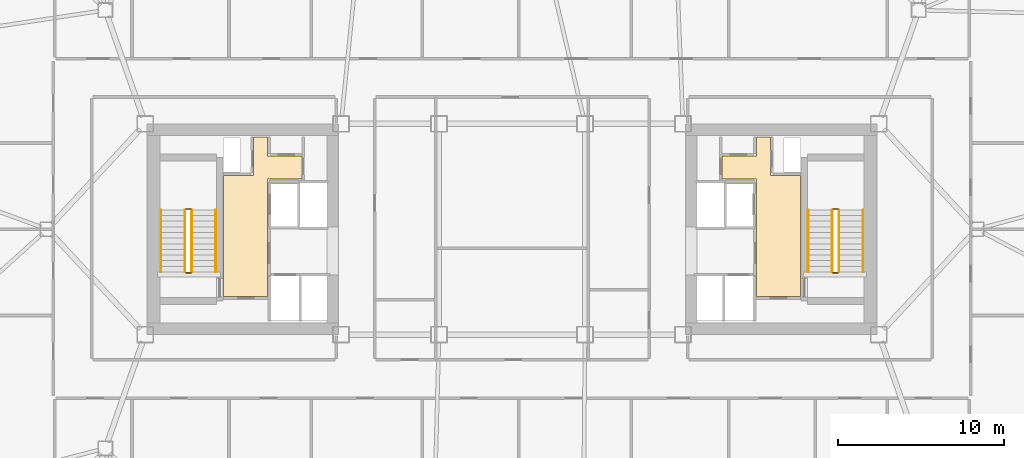
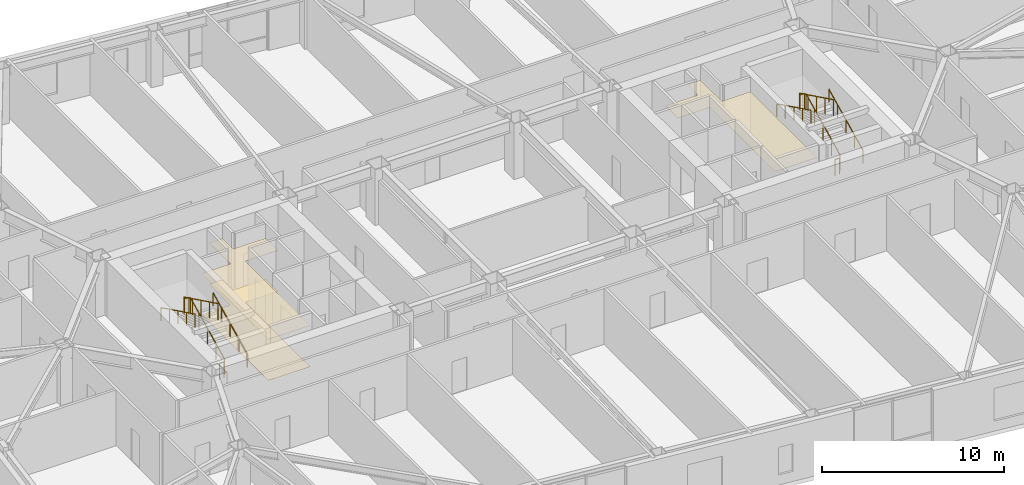
# One storey, part 21 of 21: 12 railings, 3 coverings.
"""IFC4 building model written with IfcOpenShell, lengths in metres."""

from ifc_helpers import new_model, si_unit, direction, frame, origin, origin_2d, place, context, subcontext, project, spatial, polyline, rectangle, outline, extrude, material, layer, layer_set, type_object, element, save


model = new_model("IFC4")

# Units and contexts
model_context = context("Model", 3, precision=1e-05, world=origin(), true_north=direction((0.0, 1.0)))
body_context = subcontext(model_context, "Body", "Model", "MODEL_VIEW")
ifc_project = project(units=[si_unit("LENGTHUNIT", "METRE"), si_unit("AREAUNIT", "SQUARE_METRE"), si_unit("VOLUMEUNIT", "CUBIC_METRE"), si_unit("PLANEANGLEUNIT", "RADIAN"), si_unit("MASSUNIT", "GRAM", prefix="KILO")], contexts=[model_context])

# Site, building, storey
site_placement = place(None, origin())
site = spatial("IfcSite", under=ifc_project, at=site_placement, CompositionType="ELEMENT")
building_placement = place(site_placement, origin())
building = spatial("IfcBuilding", under=site, at=building_placement, Name="Tavrogorsk Clinical Tower", CompositionType="ELEMENT")
storey_placement = place(building_placement, frame((0.0, 0.0, 133.39990234375)))
storey = spatial("IfcBuildingStorey", under=building, at=storey_placement, Name="L30", CompositionType="ELEMENT", Elevation=133.39990234375)

# Coverings
ifc_material_1 = material(Name="Antibacterial micro-perforated aluminium ceiling", Category="aluminium")
ifc_layer_1 = layer(ifc_material_1, 0.014892578125)
ifc_layer_set_1 = layer_set([ifc_layer_1], Name="Antibacterial micro-perforated aluminium ceiling")
covering_type_1 = type_object("IfcCoveringType", Name="ClinicalCeiling_15", PredefinedType="CEILING", material=ifc_layer_set_1)
covering_1_placement = place(storey_placement, frame((0.0, 0.0, 2.75)))
element("IfcCovering", 1, at=covering_1_placement, inside=storey, type_object=covering_type_1, Name="Core West Firefighting Lift Lobby Acoustic Ceiling", PredefinedType="CEILING", context=body_context, shape_type="SweptSolid", body=[
    extrude(outline(polyline([(-17.3798828125, -4.06005859375), (-17.3798828125, 3.239990234375), (-15.56005859375, 3.239990234375), (-15.56005859375, 5.56005859375), (-14.719970703125, 5.56005859375), (-14.719970703125, 4.39990234375), (-12.659912109375, 4.39990234375), (-12.659912109375, 3.0400390625), (-14.719970703125, 3.0400390625), (-14.719970703125, -4.06005859375), (-17.3798828125, -4.06005859375)])), origin(), (0.0, 0.0, 1.0), 0.01513671875),
])
covering_2_placement = place(storey_placement, frame((0.0, 0.0, 2.75)))
element("IfcCovering", 2, at=covering_2_placement, inside=storey, type_object=covering_type_1, Name="Core East Firefighting Lift Lobby Acoustic Ceiling", PredefinedType="CEILING", context=body_context, shape_type="SweptSolid", body=[
    extrude(outline(polyline([(14.719970703125, 3.0400390625), (12.659912109375, 3.0400390625), (12.659912109375, 4.39990234375), (14.719970703125, 4.39990234375), (14.719970703125, 5.56005859375), (15.56005859375, 5.56005859375), (15.56005859375, 3.239990234375), (17.3798828125, 3.239990234375), (17.3798828125, -4.06005859375), (14.719970703125, -4.06005859375), (14.719970703125, 3.0400390625)])), origin(), (0.0, 0.0, 1.0), 0.01513671875),
])
ifc_material_2 = material(Name="Homogeneous medical conductive PVC flooring")
ifc_layer_2 = layer(ifc_material_2, 0.008056640625)
ifc_layer_set_2 = layer_set([ifc_layer_2], Name="Homogeneous medical conductive PVC flooring")
covering_type_2 = type_object("IfcCoveringType", Name="ResilientVinylFloor_8", PredefinedType="FLOORING", material=ifc_layer_set_2)
covering_3_placement = place(storey_placement, origin())
element("IfcCovering", 3, at=covering_3_placement, inside=storey, type_object=covering_type_2, Name="Core West Firefighting Lift Lobby Conductive Vinyl Flooring", PredefinedType="FLOORING", context=body_context, shape_type="SweptSolid", body=[
    extrude(outline(polyline([(-17.3798828125, -4.06005859375), (-17.3798828125, 3.239990234375), (-15.56005859375, 3.239990234375), (-15.56005859375, 5.56005859375), (-14.719970703125, 5.56005859375), (-14.719970703125, 4.39990234375), (-12.659912109375, 4.39990234375), (-12.659912109375, 3.0400390625), (-14.719970703125, 3.0400390625), (-14.719970703125, -4.06005859375), (-17.3798828125, -4.06005859375)])), origin(), (0.0, 0.0, 1.0), 0.008056640625),
])

# Railings
ifc_material_3 = material(Name="Galvanised steel S355 safety stairwell guard", Category="steel")
ifc_layer_3 = layer(ifc_material_3, 0.06005859375)
ifc_layer_set_3 = layer_set([ifc_layer_3], Name="Galvanised steel S355 safety stairwell guard")
railing_type_1 = type_object("IfcRailingType", Name="StairGuard_1150", PredefinedType="GUARDRAIL", material=ifc_layer_set_3)
railing_1_placement = place(storey_placement, frame((-19.300048828125, -2.574951171875, 0.166748046875)))
element("IfcRailing", 4, at=railing_1_placement, inside=storey, type_object=railing_type_1, Name="L30 ST-W stair guard 1", PredefinedType="GUARDRAIL", context=body_context, shape_type="SweptSolid", body=[
    extrude(rectangle(XDim=0.048095703125, YDim=0.048095703125, at=origin_2d()), frame((0.0, 0.0, 1.076171875), z_axis=(0.0, 0.897927990467, 0.440142390523), x_axis=(-1.0, 0.0, 0.0)), (0.0, 0.0, 1.0), 4.1650390625),
    extrude(rectangle(XDim=0.0419921875, YDim=0.0419921875, at=origin_2d()), origin(), (0.0, 0.0, 1.0), 1.052001953125),
    extrude(rectangle(XDim=0.0419921875, YDim=0.0419921875, at=origin_2d()), frame((0.0, 0.93505859375, 0.458251953125)), (0.0, 0.0, 1.0), 1.052001953125),
    extrude(rectangle(XDim=0.0419921875, YDim=0.0419921875, at=origin_2d()), frame((0.0, 1.8701171875, 0.91650390625)), (0.0, 0.0, 1.0), 1.052001953125),
    extrude(rectangle(XDim=0.0419921875, YDim=0.0419921875, at=origin_2d()), frame((0.0, 2.804931640625, 1.375)), (0.0, 0.0, 1.0), 1.052001953125),
    extrude(rectangle(XDim=0.0419921875, YDim=0.0419921875, at=origin_2d()), frame((0.0, 3.739990234375, 1.833251953125)), (0.0, 0.0, 1.0), 1.052001953125),
])
railing_2_placement = place(storey_placement, frame((-19.35009765625, 1.215087890625, 2.0)))
element("IfcRailing", 5, at=railing_2_placement, inside=storey, type_object=railing_type_1, Name="L30 ST-W stair guard 2", PredefinedType="GUARDRAIL", context=body_context, shape_type="SweptSolid", body=[
    extrude(rectangle(XDim=0.048095703125, YDim=0.048095703125, at=origin_2d()), frame((0.0, 0.0, 1.076171875), z_axis=(-1.0, 0.0, 0.0), x_axis=(0.0, -1.0, 0.0)), (0.0, 0.0, 1.0), 0.2998046875),
    extrude(rectangle(XDim=0.0419921875, YDim=0.0419921875, at=origin_2d()), origin(), (0.0, 0.0, 1.0), 1.052001953125),
    extrude(rectangle(XDim=0.0419921875, YDim=0.0419921875, at=origin_2d()), frame((-0.2998046875, 0.0, 0.0)), (0.0, 0.0, 1.0), 1.052001953125),
])
railing_3_placement = place(storey_placement, frame((-19.699951171875, 1.1650390625, 2.166748046875)))
element("IfcRailing", 6, at=railing_3_placement, inside=storey, type_object=railing_type_1, Name="L30 ST-W stair guard 3", PredefinedType="GUARDRAIL", context=body_context, shape_type="SweptSolid", body=[
    extrude(rectangle(XDim=0.048095703125, YDim=0.048095703125, at=origin_2d()), frame((0.0, 0.0, 1.076171875), z_axis=(0.0, -0.897927990467, 0.440142390523), x_axis=(1.0, 0.0, 0.0)), (0.0, 0.0, 1.0), 4.1650390625),
    extrude(rectangle(XDim=0.0419921875, YDim=0.0419921875, at=origin_2d()), origin(), (0.0, 0.0, 1.0), 1.052001953125),
    extrude(rectangle(XDim=0.0419921875, YDim=0.0419921875, at=origin_2d()), frame((0.0, -0.93505859375, 0.458251953125)), (0.0, 0.0, 1.0), 1.052001953125),
    extrude(rectangle(XDim=0.0419921875, YDim=0.0419921875, at=origin_2d()), frame((0.0, -1.8701171875, 0.91650390625)), (0.0, 0.0, 1.0), 1.052001953125),
    extrude(rectangle(XDim=0.0419921875, YDim=0.0419921875, at=origin_2d()), frame((0.0, -2.804931640625, 1.375)), (0.0, 0.0, 1.0), 1.052001953125),
    extrude(rectangle(XDim=0.0419921875, YDim=0.0419921875, at=origin_2d()), frame((0.0, -3.739990234375, 1.833251953125)), (0.0, 0.0, 1.0), 1.052001953125),
])
railing_4_placement = place(storey_placement, frame((-19.35009765625, -2.625, 0.0)))
element("IfcRailing", 7, at=railing_4_placement, inside=storey, type_object=railing_type_1, Name="L30 ST-W stair guard 4", PredefinedType="GUARDRAIL", context=body_context, shape_type="SweptSolid", body=[
    extrude(rectangle(XDim=0.048095703125, YDim=0.048095703125, at=origin_2d()), frame((0.0, 0.0, 1.076171875), z_axis=(-1.0, 0.0, 0.0), x_axis=(0.0, -1.0, 0.0)), (0.0, 0.0, 1.0), 0.2998046875),
    extrude(rectangle(XDim=0.0419921875, YDim=0.0419921875, at=origin_2d()), origin(), (0.0, 0.0, 1.0), 1.052001953125),
    extrude(rectangle(XDim=0.0419921875, YDim=0.0419921875, at=origin_2d()), frame((-0.2998046875, 0.0, 0.0)), (0.0, 0.0, 1.0), 1.052001953125),
])
railing_5_placement = place(storey_placement, frame((19.699951171875, -2.574951171875, 0.166748046875)))
element("IfcRailing", 8, at=railing_5_placement, inside=storey, type_object=railing_type_1, Name="L30 ST-E stair guard 1", PredefinedType="GUARDRAIL", context=body_context, shape_type="SweptSolid", body=[
    extrude(rectangle(XDim=0.048095703125, YDim=0.048095703125, at=origin_2d()), frame((0.0, 0.0, 1.076171875), z_axis=(0.0, 0.897927990467, 0.440142390523), x_axis=(-1.0, 0.0, 0.0)), (0.0, 0.0, 1.0), 4.1650390625),
    extrude(rectangle(XDim=0.0419921875, YDim=0.0419921875, at=origin_2d()), origin(), (0.0, 0.0, 1.0), 1.052001953125),
    extrude(rectangle(XDim=0.0419921875, YDim=0.0419921875, at=origin_2d()), frame((0.0, 0.93505859375, 0.458251953125)), (0.0, 0.0, 1.0), 1.052001953125),
    extrude(rectangle(XDim=0.0419921875, YDim=0.0419921875, at=origin_2d()), frame((0.0, 1.8701171875, 0.91650390625)), (0.0, 0.0, 1.0), 1.052001953125),
    extrude(rectangle(XDim=0.0419921875, YDim=0.0419921875, at=origin_2d()), frame((0.0, 2.804931640625, 1.375)), (0.0, 0.0, 1.0), 1.052001953125),
    extrude(rectangle(XDim=0.0419921875, YDim=0.0419921875, at=origin_2d()), frame((0.0, 3.739990234375, 1.833251953125)), (0.0, 0.0, 1.0), 1.052001953125),
])
railing_6_placement = place(storey_placement, frame((19.64990234375, 1.215087890625, 2.0)))
element("IfcRailing", 9, at=railing_6_placement, inside=storey, type_object=railing_type_1, Name="L30 ST-E stair guard 2", PredefinedType="GUARDRAIL", context=body_context, shape_type="SweptSolid", body=[
    extrude(rectangle(XDim=0.048095703125, YDim=0.048095703125, at=origin_2d()), frame((0.0, 0.0, 1.076171875), z_axis=(-1.0, 0.0, 0.0), x_axis=(0.0, -1.0, 0.0)), (0.0, 0.0, 1.0), 0.2998046875),
    extrude(rectangle(XDim=0.0419921875, YDim=0.0419921875, at=origin_2d()), origin(), (0.0, 0.0, 1.0), 1.052001953125),
    extrude(rectangle(XDim=0.0419921875, YDim=0.0419921875, at=origin_2d()), frame((-0.2998046875, 0.0, 0.0)), (0.0, 0.0, 1.0), 1.052001953125),
])
railing_7_placement = place(storey_placement, frame((19.300048828125, 1.1650390625, 2.166748046875)))
element("IfcRailing", 10, at=railing_7_placement, inside=storey, type_object=railing_type_1, Name="L30 ST-E stair guard 3", PredefinedType="GUARDRAIL", context=body_context, shape_type="SweptSolid", body=[
    extrude(rectangle(XDim=0.048095703125, YDim=0.048095703125, at=origin_2d()), frame((0.0, 0.0, 1.076171875), z_axis=(0.0, -0.897927990467, 0.440142390523), x_axis=(1.0, 0.0, 0.0)), (0.0, 0.0, 1.0), 4.1650390625),
    extrude(rectangle(XDim=0.0419921875, YDim=0.0419921875, at=origin_2d()), origin(), (0.0, 0.0, 1.0), 1.052001953125),
    extrude(rectangle(XDim=0.0419921875, YDim=0.0419921875, at=origin_2d()), frame((0.0, -0.93505859375, 0.458251953125)), (0.0, 0.0, 1.0), 1.052001953125),
    extrude(rectangle(XDim=0.0419921875, YDim=0.0419921875, at=origin_2d()), frame((0.0, -1.8701171875, 0.91650390625)), (0.0, 0.0, 1.0), 1.052001953125),
    extrude(rectangle(XDim=0.0419921875, YDim=0.0419921875, at=origin_2d()), frame((0.0, -2.804931640625, 1.375)), (0.0, 0.0, 1.0), 1.052001953125),
    extrude(rectangle(XDim=0.0419921875, YDim=0.0419921875, at=origin_2d()), frame((0.0, -3.739990234375, 1.833251953125)), (0.0, 0.0, 1.0), 1.052001953125),
])
railing_8_placement = place(storey_placement, frame((19.64990234375, -2.625, 0.0)))
element("IfcRailing", 11, at=railing_8_placement, inside=storey, type_object=railing_type_1, Name="L30 ST-E stair guard 4", PredefinedType="GUARDRAIL", context=body_context, shape_type="SweptSolid", body=[
    extrude(rectangle(XDim=0.048095703125, YDim=0.048095703125, at=origin_2d()), frame((0.0, 0.0, 1.076171875), z_axis=(-1.0, 0.0, 0.0), x_axis=(0.0, -1.0, 0.0)), (0.0, 0.0, 1.0), 0.2998046875),
    extrude(rectangle(XDim=0.0419921875, YDim=0.0419921875, at=origin_2d()), origin(), (0.0, 0.0, 1.0), 1.052001953125),
    extrude(rectangle(XDim=0.0419921875, YDim=0.0419921875, at=origin_2d()), frame((-0.2998046875, 0.0, 0.0)), (0.0, 0.0, 1.0), 1.052001953125),
])
ifc_material_4 = material(Name="Stainless steel AISI 304 tubular handrail", Category="steel")
ifc_layer_4 = layer(ifc_material_4, 0.050048828125)
ifc_layer_set_4 = layer_set([ifc_layer_4], Name="Stainless steel AISI 304 tubular handrail")
railing_type_2 = type_object("IfcRailingType", Name="StairHandrail_920", PredefinedType="HANDRAIL", material=ifc_layer_set_4)
railing_9_placement = place(storey_placement, frame((-17.85009765625, -2.574951171875, 0.166748046875)))
element("IfcRailing", 12, at=railing_9_placement, inside=storey, type_object=railing_type_2, Name="L30 ST-W stair handrail 1", PredefinedType="HANDRAIL", context=body_context, shape_type="SweptSolid", body=[
    extrude(rectangle(XDim=0.048095703125, YDim=0.048095703125, at=origin_2d()), frame((0.0, 0.0, 0.8759765625), z_axis=(0.0, 0.897927990467, 0.440142390523), x_axis=(-1.0, 0.0, 0.0)), (0.0, 0.0, 1.0), 4.1650390625),
    extrude(rectangle(XDim=0.0419921875, YDim=0.0419921875, at=origin_2d()), origin(), (0.0, 0.0, 1.0), 0.851806640625),
    extrude(rectangle(XDim=0.0419921875, YDim=0.0419921875, at=origin_2d()), frame((0.0, 0.93505859375, 0.458251953125)), (0.0, 0.0, 1.0), 0.851806640625),
    extrude(rectangle(XDim=0.0419921875, YDim=0.0419921875, at=origin_2d()), frame((0.0, 1.8701171875, 0.91650390625)), (0.0, 0.0, 1.0), 0.851806640625),
    extrude(rectangle(XDim=0.0419921875, YDim=0.0419921875, at=origin_2d()), frame((0.0, 2.804931640625, 1.375)), (0.0, 0.0, 1.0), 0.851806640625),
    extrude(rectangle(XDim=0.0419921875, YDim=0.0419921875, at=origin_2d()), frame((0.0, 3.739990234375, 1.833251953125)), (0.0, 0.0, 1.0), 0.851806640625),
])
railing_10_placement = place(storey_placement, frame((-21.14990234375, 1.1650390625, 2.166748046875)))
element("IfcRailing", 13, at=railing_10_placement, inside=storey, type_object=railing_type_2, Name="L30 ST-W stair handrail 2", PredefinedType="HANDRAIL", context=body_context, shape_type="SweptSolid", body=[
    extrude(rectangle(XDim=0.048095703125, YDim=0.048095703125, at=origin_2d()), frame((0.0, 0.0, 0.8759765625), z_axis=(0.0, -0.897927990467, 0.440142390523), x_axis=(1.0, 0.0, 0.0)), (0.0, 0.0, 1.0), 4.1650390625),
    extrude(rectangle(XDim=0.0419921875, YDim=0.0419921875, at=origin_2d()), origin(), (0.0, 0.0, 1.0), 0.851806640625),
    extrude(rectangle(XDim=0.0419921875, YDim=0.0419921875, at=origin_2d()), frame((0.0, -0.93505859375, 0.458251953125)), (0.0, 0.0, 1.0), 0.851806640625),
    extrude(rectangle(XDim=0.0419921875, YDim=0.0419921875, at=origin_2d()), frame((0.0, -1.8701171875, 0.91650390625)), (0.0, 0.0, 1.0), 0.851806640625),
    extrude(rectangle(XDim=0.0419921875, YDim=0.0419921875, at=origin_2d()), frame((0.0, -2.804931640625, 1.375)), (0.0, 0.0, 1.0), 0.851806640625),
    extrude(rectangle(XDim=0.0419921875, YDim=0.0419921875, at=origin_2d()), frame((0.0, -3.739990234375, 1.833251953125)), (0.0, 0.0, 1.0), 0.851806640625),
])
railing_11_placement = place(storey_placement, frame((21.14990234375, -2.574951171875, 0.166748046875)))
element("IfcRailing", 14, at=railing_11_placement, inside=storey, type_object=railing_type_2, Name="L30 ST-E stair handrail 1", PredefinedType="HANDRAIL", context=body_context, shape_type="SweptSolid", body=[
    extrude(rectangle(XDim=0.048095703125, YDim=0.048095703125, at=origin_2d()), frame((0.0, 0.0, 0.8759765625), z_axis=(0.0, 0.897927990467, 0.440142390523), x_axis=(-1.0, 0.0, 0.0)), (0.0, 0.0, 1.0), 4.1650390625),
    extrude(rectangle(XDim=0.0419921875, YDim=0.0419921875, at=origin_2d()), origin(), (0.0, 0.0, 1.0), 0.851806640625),
    extrude(rectangle(XDim=0.0419921875, YDim=0.0419921875, at=origin_2d()), frame((0.0, 0.93505859375, 0.458251953125)), (0.0, 0.0, 1.0), 0.851806640625),
    extrude(rectangle(XDim=0.0419921875, YDim=0.0419921875, at=origin_2d()), frame((0.0, 1.8701171875, 0.91650390625)), (0.0, 0.0, 1.0), 0.851806640625),
    extrude(rectangle(XDim=0.0419921875, YDim=0.0419921875, at=origin_2d()), frame((0.0, 2.804931640625, 1.375)), (0.0, 0.0, 1.0), 0.851806640625),
    extrude(rectangle(XDim=0.0419921875, YDim=0.0419921875, at=origin_2d()), frame((0.0, 3.739990234375, 1.833251953125)), (0.0, 0.0, 1.0), 0.851806640625),
])
railing_12_placement = place(storey_placement, frame((17.85009765625, 1.1650390625, 2.166748046875)))
element("IfcRailing", 15, at=railing_12_placement, inside=storey, type_object=railing_type_2, Name="L30 ST-E stair handrail 2", PredefinedType="HANDRAIL", context=body_context, shape_type="SweptSolid", body=[
    extrude(rectangle(XDim=0.048095703125, YDim=0.048095703125, at=origin_2d()), frame((0.0, 0.0, 0.8759765625), z_axis=(0.0, -0.897927990467, 0.440142390523), x_axis=(1.0, 0.0, 0.0)), (0.0, 0.0, 1.0), 4.1650390625),
    extrude(rectangle(XDim=0.0419921875, YDim=0.0419921875, at=origin_2d()), origin(), (0.0, 0.0, 1.0), 0.851806640625),
    extrude(rectangle(XDim=0.0419921875, YDim=0.0419921875, at=origin_2d()), frame((0.0, -0.93505859375, 0.458251953125)), (0.0, 0.0, 1.0), 0.851806640625),
    extrude(rectangle(XDim=0.0419921875, YDim=0.0419921875, at=origin_2d()), frame((0.0, -1.8701171875, 0.91650390625)), (0.0, 0.0, 1.0), 0.851806640625),
    extrude(rectangle(XDim=0.0419921875, YDim=0.0419921875, at=origin_2d()), frame((0.0, -2.804931640625, 1.375)), (0.0, 0.0, 1.0), 0.851806640625),
    extrude(rectangle(XDim=0.0419921875, YDim=0.0419921875, at=origin_2d()), frame((0.0, -3.739990234375, 1.833251953125)), (0.0, 0.0, 1.0), 0.851806640625),
])

save(model, "model.ifc")
